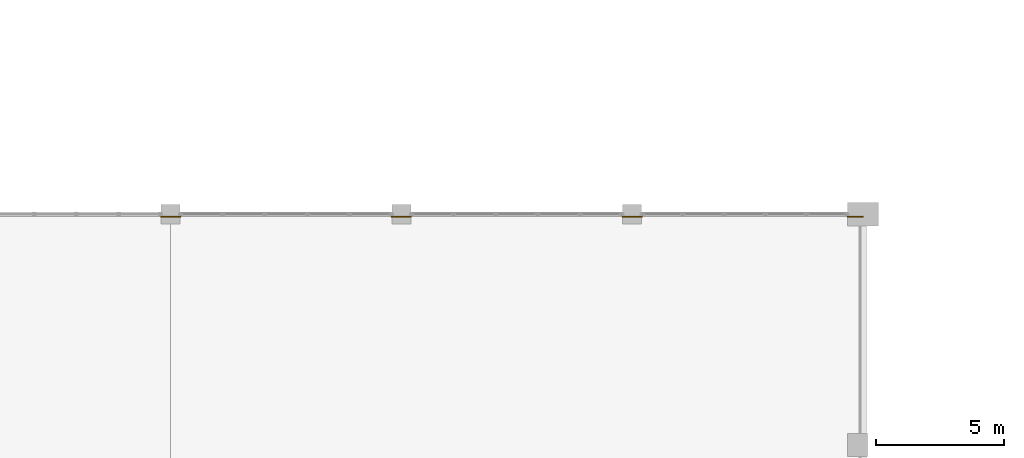
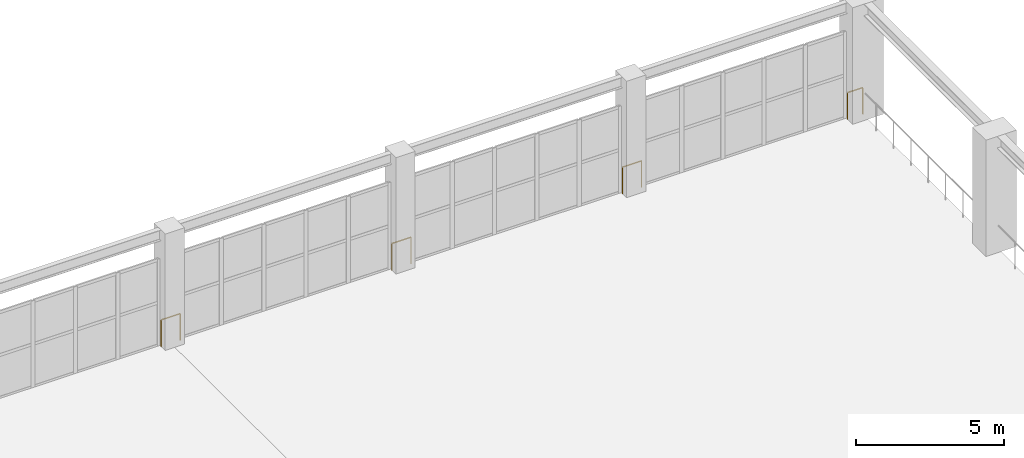
# One storey, part 88 of 89: 4 railings.
"""IFC4 building model written with IfcOpenShell, lengths in metres."""

from ifc_helpers import new_model, si_unit, direction, frame, origin, origin_2d, place, context, subcontext, project, spatial, circle, extrude, material, type_object, element, save


model = new_model("IFC4")

# Units and contexts
model_context = context("Model", 3, precision=1e-05, world=origin(), true_north=direction((0.0, 1.0)))
body_context = subcontext(model_context, "Body", "Model", "MODEL_VIEW")
ifc_project = project(units=[si_unit("LENGTHUNIT", "METRE"), si_unit("AREAUNIT", "SQUARE_METRE"), si_unit("VOLUMEUNIT", "CUBIC_METRE"), si_unit("PLANEANGLEUNIT", "RADIAN"), si_unit("MASSUNIT", "GRAM", prefix="KILO")], contexts=[model_context])

# Site, building, storey
site_placement = place(None, origin())
site = spatial("IfcSite", under=ifc_project, at=site_placement, CompositionType="ELEMENT")
building_placement = place(site_placement, origin())
building = spatial("IfcBuilding", under=site, at=building_placement, Name="Dornveld Trade and Exhibition Forum", CompositionType="ELEMENT")
storey_placement = place(building_placement, frame((0.0, 0.0, 12.0)))
storey = spatial("IfcBuildingStorey", under=building, at=storey_placement, Name="L02", CompositionType="ELEMENT", Elevation=12.0)

# Railings
ifc_material = material(Name="Dark-bronze steel and laminated glass balustrade", Category="steel")
railing_type = type_object("IfcRailingType", Name="RL-BALUST-CONC", PredefinedType="BALUSTRADE", material=ifc_material)
for number, where, name in (
    (1, (53.62890625, 134.89990234375, 0.0), "L02 deck edge balustrade 132"),
    (2, (62.62890625, 134.89990234375, 0.0), "L02 deck edge balustrade 133"),
    (3, (71.62890625, 134.89990234375, 0.0), "L02 deck edge balustrade 134"),
):
    element("IfcRailing", number, at=place(storey_placement, frame(where)), inside=storey, type_object=railing_type, Name=name, PredefinedType="BALUSTRADE", context=body_context, shape_type="SweptSolid", body=[
        extrude(circle(Radius=0.02490234375, at=origin_2d()), frame((0.0, 0.0, 1.09521484375), z_axis=(1.0, 0.0, 0.0), x_axis=(0.0, 1.0, 0.0)), (0.0, 0.0, 1.0), 0.7421875),
        extrude(circle(Radius=0.02099609375, at=origin_2d()), origin(), (0.0, 0.0, 1.0), 1.070068359375),
        extrude(circle(Radius=0.02099609375, at=origin_2d()), frame((0.7421875, 0.0, 0.0)), (0.0, 0.0, 1.0), 1.070068359375),
    ])
railing_placement = place(storey_placement, frame((80.404052734375, 134.89990234375, 0.0)))
element("IfcRailing", 4, at=railing_placement, inside=storey, type_object=railing_type, Name="L02 deck edge balustrade 135", PredefinedType="BALUSTRADE", context=body_context, shape_type="SweptSolid", body=[
    extrude(circle(Radius=0.02490234375, at=origin_2d()), frame((0.0, 0.0, 1.09521484375), z_axis=(1.0, 0.0, 0.0), x_axis=(0.0, 1.0, 0.0)), (0.0, 0.0, 1.0), 0.595947265625),
    extrude(circle(Radius=0.02099609375, at=origin_2d()), origin(), (0.0, 0.0, 1.0), 1.070068359375),
    extrude(circle(Radius=0.02099609375, at=origin_2d()), frame((0.595947265625, 0.0, 0.0)), (0.0, 0.0, 1.0), 1.070068359375),
])

save(model, "model.ifc")
